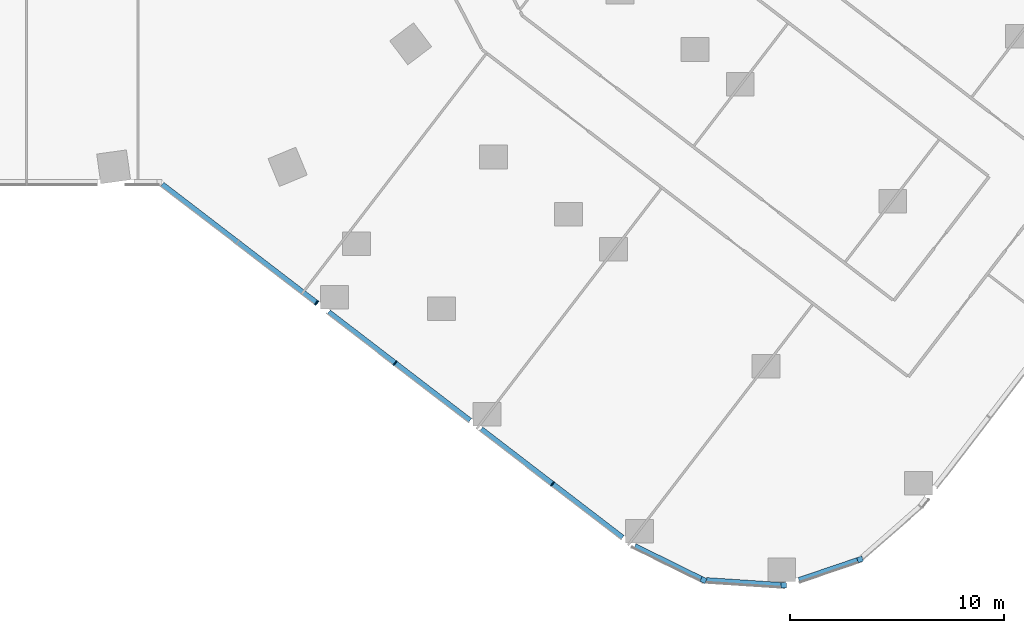
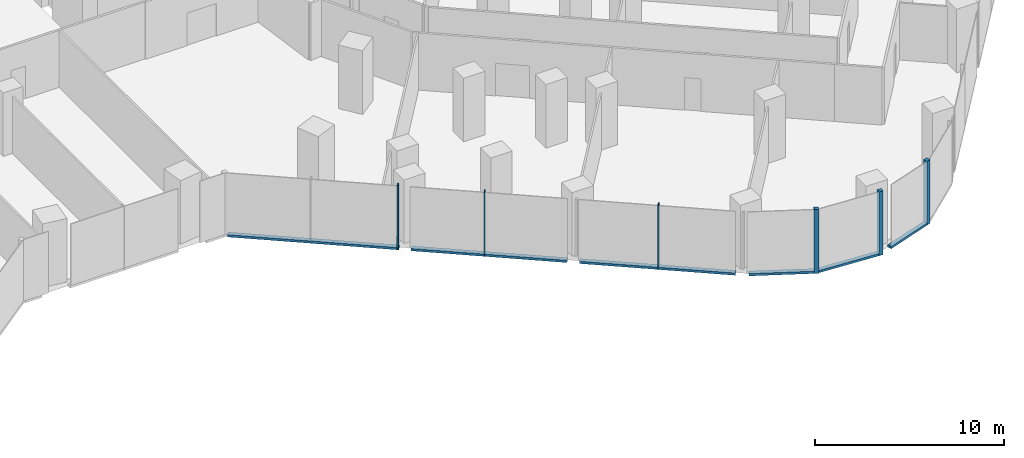
# One storey, part 6 of 29: 12 members, 4 elements without a shape of their own.
"""IFC4 building model written with IfcOpenShell, lengths in metres."""

from ifc_helpers import new_model, si_unit, direction, frame, origin, origin_2d, place, context, subcontext, project, spatial, rectangle, extrude, material, material_profile, profile_set, type_object, element, aggregate, save


model = new_model("IFC4")

# Units and contexts
model_context = context("Model", 3, precision=1e-05, world=origin(), true_north=direction((0.0, 1.0)))
body_context = subcontext(model_context, "Body", "Model", "MODEL_VIEW")
ifc_project = project(units=[si_unit("LENGTHUNIT", "METRE"), si_unit("AREAUNIT", "SQUARE_METRE"), si_unit("VOLUMEUNIT", "CUBIC_METRE"), si_unit("PLANEANGLEUNIT", "RADIAN"), si_unit("MASSUNIT", "GRAM", prefix="KILO")], contexts=[model_context])

# Site, building, storey
site_placement = place(None, origin())
site = spatial("IfcSite", under=ifc_project, at=site_placement, CompositionType="ELEMENT")
building_placement = place(site_placement, origin())
building = spatial("IfcBuilding", under=site, at=building_placement, Name="Orlundy Tower", CompositionType="ELEMENT")
storey_placement = place(building_placement, frame((0.0, 0.0, 25.10009765625)))
storey = spatial("IfcBuildingStorey", under=building, at=storey_placement, Name="L04", CompositionType="ELEMENT", Elevation=25.10009765625)

# Curtain wall, member
ifc_material_1 = material(Name="Aluminium bronze anodised", Category="aluminium")
curtain_wall_type = type_object("IfcCurtainWallType", Name="CW2 wall", PredefinedType="NOTDEFINED", material=ifc_material_1)
curtain_wall_1_placement = place(storey_placement, origin())
curtain_wall_1 = element("IfcCurtainWall", 1, at=curtain_wall_1_placement, inside=storey, type_object=curtain_wall_type, Name="CW2 run 025", PredefinedType="NOTDEFINED")
ifc_material_2 = material(Name="Aluminium bronze anodised", Category="aluminium")
ifc_material_profile_1 = material_profile(ifc_material_2, rectangle(XDim=0.25, YDim=0.25, at=origin_2d()), Name="CW2 corner post 250x250")
ifc_profile_set_1 = profile_set([ifc_material_profile_1], Name="Aluminium bronze anodised")
member_type_1 = type_object("IfcMemberType", Name="CW2 corner post 250x250", PredefinedType="MULLION", material=ifc_profile_set_1)
member_1_placement = place(storey_placement, frame((38.8828125, -47.71435546875, -0.420166015625), z_axis=(0.0, 0.0, 1.0), x_axis=(0.321564171921, -0.946887788144, 0.0)))
member_1 = element("IfcMember", 2, at=member_1_placement, type_object=member_type_1, Name="CW2 mullion 66", PredefinedType="MULLION", context=body_context, shape_type="SweptSolid", body=[
    extrude(rectangle(XDim=0.25, YDim=0.25, at=origin_2d()), origin(), (0.0, 0.0, 1.0), 4.1201171875),
])

curtain_wall_2_placement = place(storey_placement, origin())
curtain_wall_2 = element("IfcCurtainWall", 3, at=curtain_wall_2_placement, inside=storey, type_object=curtain_wall_type, Name="CW2 run 026", PredefinedType="NOTDEFINED")
member_2_placement = place(storey_placement, frame((35.32568359375, -48.92236328125, -0.420166015625), z_axis=(0.0, 0.0, 1.0), x_axis=(-0.065552133657, -0.9978491458, 0.0)))
member_2 = element("IfcMember", 4, at=member_2_placement, type_object=member_type_1, Name="CW2 mullion 67", PredefinedType="MULLION", context=body_context, shape_type="SweptSolid", body=[
    extrude(rectangle(XDim=0.25, YDim=0.25, at=origin_2d()), origin(), (0.0, 0.0, 1.0), 4.1201171875),
])

curtain_wall_3_placement = place(storey_placement, origin())
curtain_wall_3 = element("IfcCurtainWall", 5, at=curtain_wall_3_placement, inside=storey, type_object=curtain_wall_type, Name="CW2 run 027", PredefinedType="NOTDEFINED")
member_3_placement = place(storey_placement, frame((31.576904296875, -48.676025390625, -0.420166015625), z_axis=(0.0, 0.0, 1.0), x_axis=(-0.442241939743, -0.896895794801, 0.0)))
member_3 = element("IfcMember", 6, at=member_3_placement, type_object=member_type_1, Name="CW2 mullion 68", PredefinedType="MULLION", context=body_context, shape_type="SweptSolid", body=[
    extrude(rectangle(XDim=0.25, YDim=0.25, at=origin_2d()), origin(), (0.0, 0.0, 1.0), 4.1201171875),
])

# Curtain wall, members
curtain_wall_4_placement = place(storey_placement, origin())
curtain_wall_4 = element("IfcCurtainWall", 7, at=curtain_wall_4_placement, inside=storey, type_object=curtain_wall_type, Name="CW2 run 00", PredefinedType="NOTDEFINED")
ifc_material_3 = material(Name="Aluminium bronze anodised", Category="aluminium")
ifc_material_profile_2 = material_profile(ifc_material_3, rectangle(XDim=0.25, YDim=0.050048828125, at=origin_2d()), Name="CW2 mullion 50x250")
ifc_profile_set_2 = profile_set([ifc_material_profile_2], Name="Aluminium bronze anodised")
member_type_2 = type_object("IfcMemberType", Name="CW2 mullion 50x250", PredefinedType="MULLION", material=ifc_profile_set_2)
member_4_placement = place(storey_placement, frame((24.5361328125, -44.194091796875, -0.420166015625), z_axis=(0.0, 0.0, 1.0), x_axis=(-0.60875715215, -0.793356622022, 0.0)))
member_4 = element("IfcMember", 8, at=member_4_placement, type_object=member_type_2, Name="CW2 mullion 2", PredefinedType="MULLION", context=body_context, shape_type="SweptSolid", body=[
    extrude(rectangle(XDim=0.25, YDim=0.050048828125, at=origin_2d()), origin(), (0.0, 0.0, 1.0), 4.1201171875),
])
member_5_placement = place(storey_placement, frame((17.1884765625, -38.55615234375, -0.420166015625), z_axis=(0.0, 0.0, 1.0), x_axis=(-0.60875715215, -0.793356622022, 0.0)))
member_5 = element("IfcMember", 9, at=member_5_placement, type_object=member_type_2, Name="CW2 mullion 4", PredefinedType="MULLION", context=body_context, shape_type="SweptSolid", body=[
    extrude(rectangle(XDim=0.25, YDim=0.050048828125, at=origin_2d()), origin(), (0.0, 0.0, 1.0), 4.1201171875),
])
member_6_placement = place(storey_placement, frame((13.5146484375, -35.737060546875, -0.420166015625), z_axis=(0.0, 0.0, 1.0), x_axis=(-0.60875715215, -0.793356622022, 0.0)))
member_6 = element("IfcMember", 10, at=member_6_placement, type_object=member_type_2, Name="CW2 mullion 5", PredefinedType="MULLION", context=body_context, shape_type="SweptSolid", body=[
    extrude(rectangle(XDim=0.25, YDim=0.050048828125, at=origin_2d()), origin(), (0.0, 0.0, 1.0), 4.1201171875),
])
ifc_material_4 = material(Name="Aluminium bronze anodised", Category="aluminium")
ifc_material_profile_3 = material_profile(ifc_material_4, rectangle(XDim=0.25, YDim=0.14990234375, at=origin_2d()), Name="CW2 transom 250x150")
ifc_profile_set_3 = profile_set([ifc_material_profile_3], Name="Aluminium bronze anodised")
member_type_3 = type_object("IfcMemberType", Name="CW2 transom 250x150", PredefinedType="USERDEFINED", material=ifc_profile_set_3)
member_7_placement = place(storey_placement, frame((27.798095703125, -46.697021484375, -0.34521484375), z_axis=(-0.793361797933, 0.608750406636, 0.0), x_axis=(-0.608750406636, -0.793361797933, 0.0)))
member_7 = element("IfcMember", 11, at=member_7_placement, type_object=member_type_3, Name="CW2 transom", ObjectType="TRANSOM", PredefinedType="USERDEFINED", context=body_context, shape_type="SweptSolid", body=[
    extrude(rectangle(XDim=0.25, YDim=0.14990234375, at=origin_2d()), origin(), (0.0, 0.0, 1.0), 8.30908203125),
])
member_8_placement = place(storey_placement, frame((20.68408203125, -41.238525390625, -0.34521484375), z_axis=(-0.793344305907, 0.608773202666, 0.0), x_axis=(-0.608773202666, -0.793344305907, 0.0)))
member_8 = element("IfcMember", 12, at=member_8_placement, type_object=member_type_3, Name="CW2 transom", ObjectType="TRANSOM", PredefinedType="USERDEFINED", context=body_context, shape_type="SweptSolid", body=[
    extrude(rectangle(XDim=0.25, YDim=0.14990234375, at=origin_2d()), origin(), (0.0, 0.0, 1.0), 8.3095703125),
])
member_9_placement = place(storey_placement, frame((13.571044921875, -35.780517578125, -0.34521484375), z_axis=(-0.793352862871, 0.608762051194, 0.0), x_axis=(-0.608762051194, -0.793352862871, 0.0)))
member_9 = element("IfcMember", 13, at=member_9_placement, type_object=member_type_3, Name="CW2 transom", ObjectType="TRANSOM", PredefinedType="USERDEFINED", context=body_context, shape_type="SweptSolid", body=[
    extrude(rectangle(XDim=0.25, YDim=0.14990234375, at=origin_2d()), origin(), (0.0, 0.0, 1.0), 9.132568359375),
])
aggregate(curtain_wall_4, [member_4, member_5, member_6, member_7, member_8, member_9])

# Member
member_10_placement = place(storey_placement, frame((38.764404296875, -47.754638671875, -0.34521484375), z_axis=(-0.946892278069, -0.321550950448, 0.0), x_axis=(0.321550950448, -0.946892278069, 0.0)))
member_10 = element("IfcMember", 14, at=member_10_placement, type_object=member_type_3, Name="CW2 transom", ObjectType="TRANSOM", PredefinedType="USERDEFINED", context=body_context, shape_type="SweptSolid", body=[
    extrude(rectangle(XDim=0.25, YDim=0.14990234375, at=origin_2d()), origin(), (0.0, 0.0, 1.0), 2.88671875),
])

aggregate(curtain_wall_1, [member_1, member_10])

member_11_placement = place(storey_placement, frame((35.200927734375, -48.9140625, -0.34521484375), z_axis=(-0.997852911306, 0.065494789084, 0.0), x_axis=(-0.065494789084, -0.997852911306, 0.0)))
member_11 = element("IfcMember", 15, at=member_11_placement, type_object=member_type_3, Name="CW2 transom", ObjectType="TRANSOM", PredefinedType="USERDEFINED", context=body_context, shape_type="SweptSolid", body=[
    extrude(rectangle(XDim=0.25, YDim=0.14990234375, at=origin_2d()), origin(), (0.0, 0.0, 1.0), 3.49658203125),
])

aggregate(curtain_wall_2, [member_2, member_11])

member_12_placement = place(storey_placement, frame((31.46484375, -48.620849609375, -0.34521484375), z_axis=(-0.896879340897, 0.44227530778, 0.0), x_axis=(-0.44227530778, -0.896879340897, 0.0)))
member_12 = element("IfcMember", 16, at=member_12_placement, type_object=member_type_3, Name="CW2 transom", ObjectType="TRANSOM", PredefinedType="USERDEFINED", context=body_context, shape_type="SweptSolid", body=[
    extrude(rectangle(XDim=0.25, YDim=0.14990234375, at=origin_2d()), origin(), (0.0, 0.0, 1.0), 3.445556640625),
])

aggregate(curtain_wall_3, [member_3, member_12])

save(model, "model.ifc")
